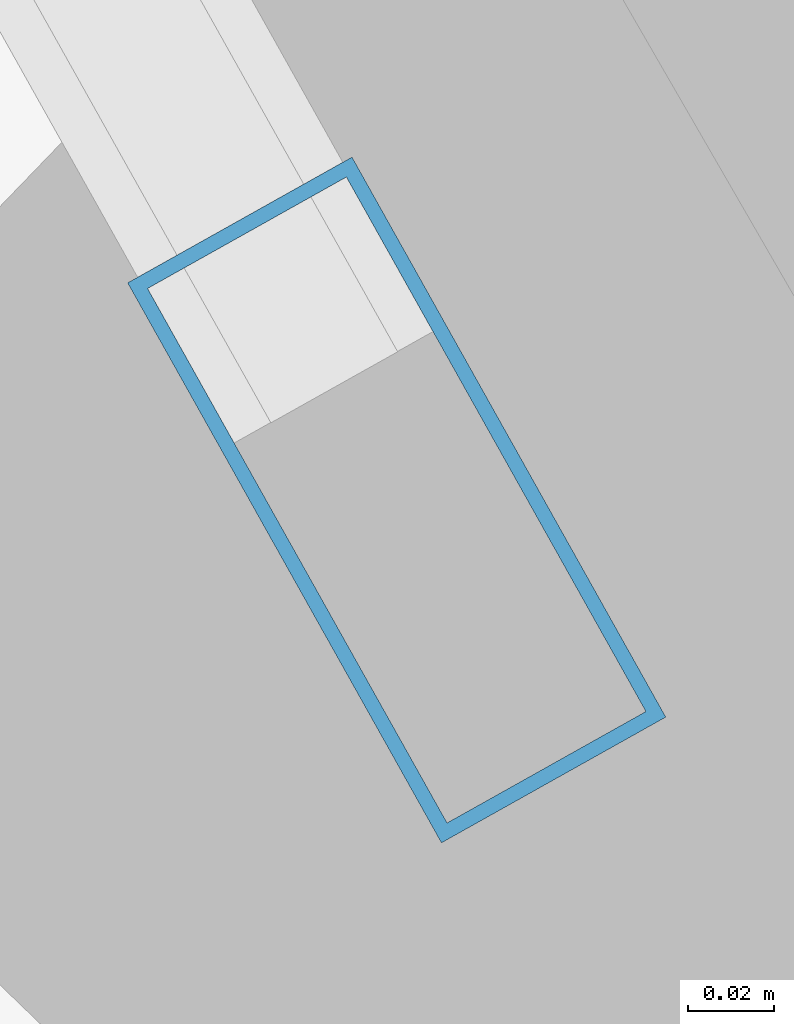
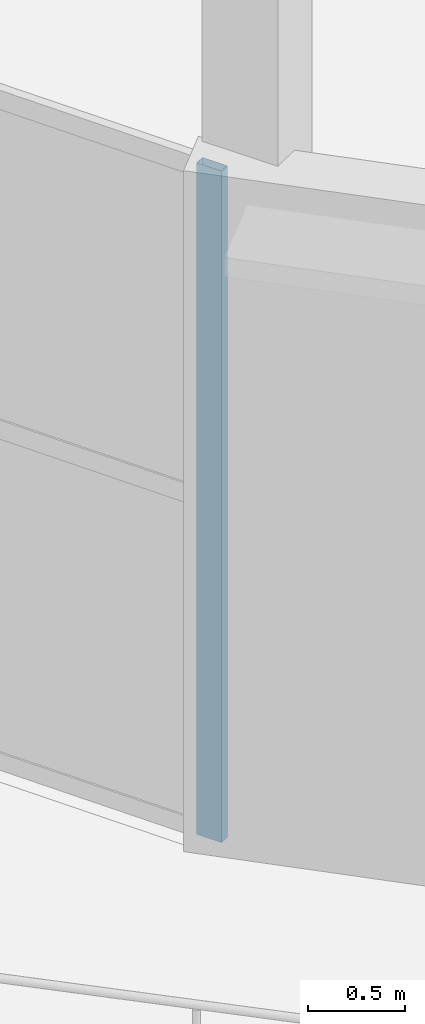
# One storey, part 16 of 123: 1 member, 1 element without a shape of its own.
"""IFC4 building model written with IfcOpenShell, lengths in metres."""

from ifc_helpers import new_model, si_unit, direction, frame, origin, origin_2d, place, context, subcontext, project, spatial, hollow_rectangle, extrude, material, layer, layer_set, material_profile, profile_set, type_object, element, aggregate, save


model = new_model("IFC4")

# Units and contexts
model_context = context("Model", 3, precision=1e-05, world=origin(), true_north=direction((0.0, 1.0)))
body_context = subcontext(model_context, "Body", "Model", "MODEL_VIEW")
ifc_project = project(units=[si_unit("LENGTHUNIT", "METRE"), si_unit("AREAUNIT", "SQUARE_METRE"), si_unit("VOLUMEUNIT", "CUBIC_METRE"), si_unit("PLANEANGLEUNIT", "RADIAN"), si_unit("MASSUNIT", "GRAM", prefix="KILO")], contexts=[model_context])

# Site, building, storey
site_placement = place(None, origin())
site = spatial("IfcSite", under=ifc_project, at=site_placement, CompositionType="ELEMENT")
building_placement = place(site_placement, origin())
building = spatial("IfcBuilding", under=site, at=building_placement, Name="Kalgoora Escarpment Arena", CompositionType="ELEMENT")
storey_placement = place(building_placement, frame((0.0, 0.0, 9.89990234375)))
storey = spatial("IfcBuildingStorey", under=building, at=storey_placement, Name="L02", CompositionType="ELEMENT", Elevation=9.89990234375)

# Curtain wall, member
ifc_material_1 = material(Name=" Champagne anodised aluminium & double-glazed low-E", Category="aluminium")
ifc_layer = layer(ifc_material_1, 0.154052734375)
ifc_layer_set = layer_set([ifc_layer], Name="CW-UNIT-16")
curtain_wall_type = type_object("IfcCurtainWallType", Name="CW-UNIT-16", PredefinedType="NOTDEFINED", material=ifc_layer_set)
curtain_wall_placement = place(storey_placement, origin())
curtain_wall = element("IfcCurtainWall", 1, at=curtain_wall_placement, inside=storey, type_object=curtain_wall_type, Name="L02 unitised facade curtain wall 055", PredefinedType="NOTDEFINED")
ifc_material_2 = material(Name="Anodised aluminium 6063-T6", Category="aluminium")
ifc_material_profile = material_profile(ifc_material_2, hollow_rectangle(XDim=0.06005859375, YDim=0.14990234375, WallThickness=0.00341796875, at=origin_2d()))
ifc_profile_set = profile_set([ifc_material_profile], Name="Anodised aluminium 6063-T6")
member_type = type_object("IfcMemberType", Name="MEM-CW-MULL-150", PredefinedType="MULLION", material=ifc_profile_set)
member_placement = place(storey_placement, frame((20.7451171875, 33.552490234375, 0.02001953125), z_axis=(0.0, 0.0, 1.0), x_axis=(-0.872355947952, -0.488871251019, 0.0)))
member = element("IfcMember", 2, at=member_placement, type_object=member_type, Name="CW-16 mullion 1", PredefinedType="MULLION", context=body_context, shape_type="SweptSolid", body=[
    extrude(hollow_rectangle(XDim=0.06005859375, YDim=0.14990234375, WallThickness=0.00341796875, at=origin_2d()), origin(), (0.0, 0.0, 1.0), 4.205078125),
])
aggregate(curtain_wall, [member])

save(model, "model.ifc")
